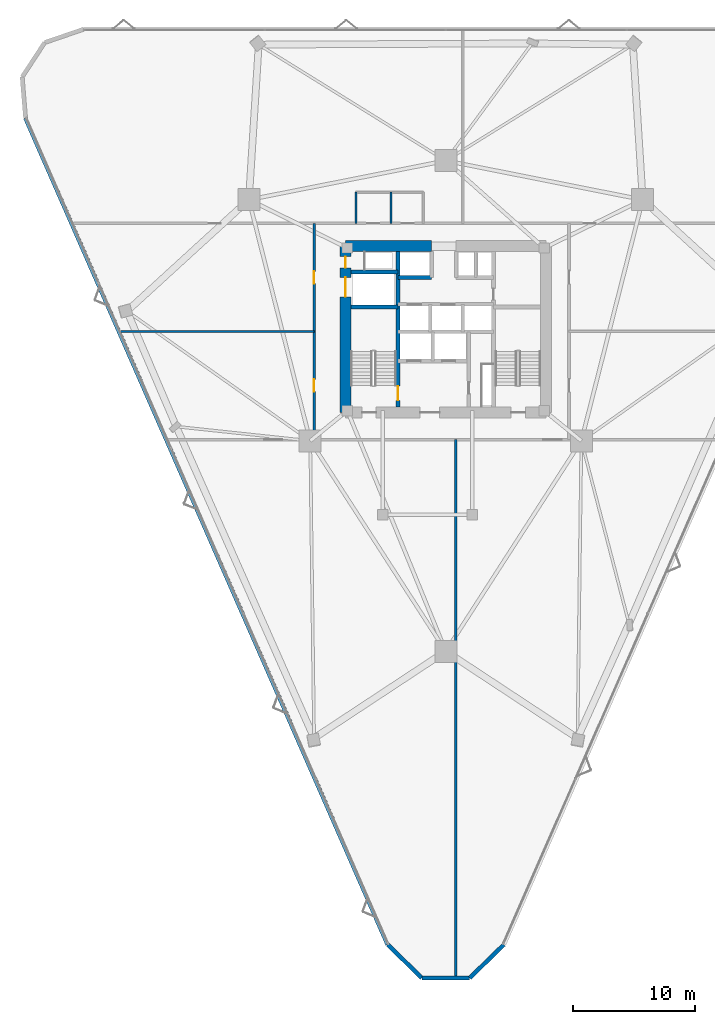
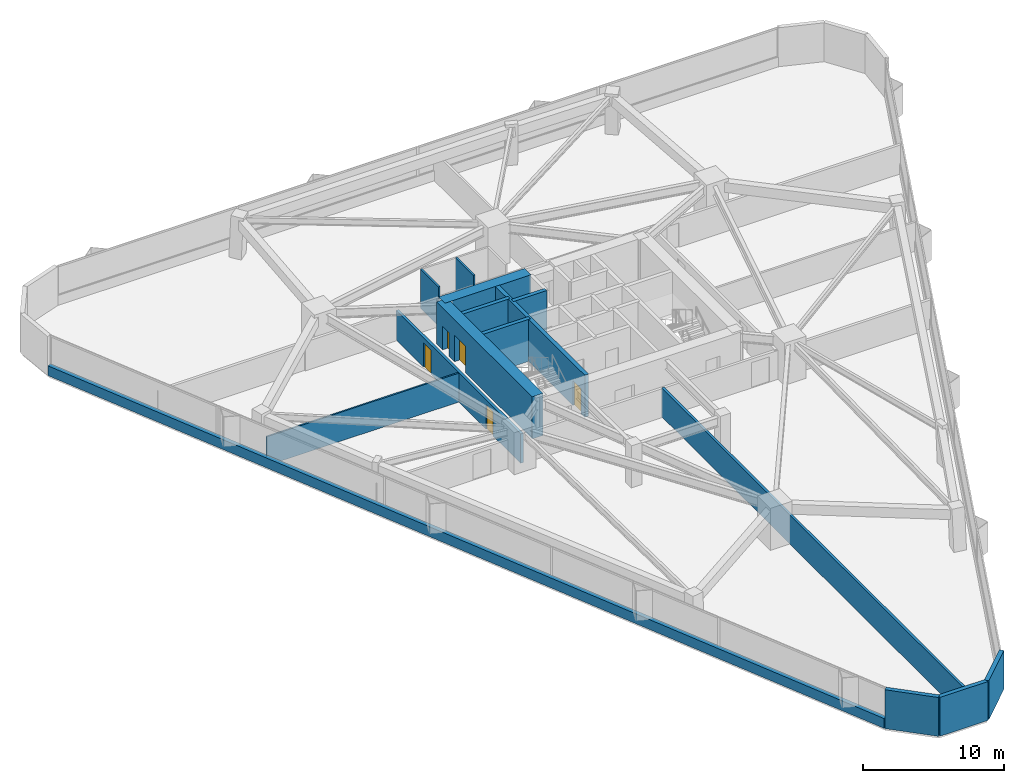
# One storey, part 17 of 20: 15 walls, 5 doors, 5 openings.
"""IFC4 building model written with IfcOpenShell, lengths in metres."""

from ifc_helpers import new_model, si_unit, direction, frame, frame_2d, origin, place, context, subcontext, project, spatial, rectangle, extrude, material, layer, layer_set, type_object, element, fill, save


model = new_model("IFC4")

# Units and contexts
model_context = context("Model", 3, precision=1e-05, world=origin(), true_north=direction((0.0, 1.0)))
body_context = subcontext(model_context, "Body", "Model", "MODEL_VIEW")
ifc_project = project(units=[si_unit("LENGTHUNIT", "METRE"), si_unit("AREAUNIT", "SQUARE_METRE"), si_unit("VOLUMEUNIT", "CUBIC_METRE"), si_unit("PLANEANGLEUNIT", "RADIAN"), si_unit("MASSUNIT", "GRAM", prefix="KILO")], contexts=[model_context])

# Site, building, storey
site_placement = place(None, origin())
site = spatial("IfcSite", under=ifc_project, at=site_placement, CompositionType="ELEMENT")
building_placement = place(site_placement, origin())
building = spatial("IfcBuilding", under=site, at=building_placement, Name="Talyreon Biosciences Tower", CompositionType="ELEMENT")
storey_placement = place(building_placement, frame((0.0, 0.0, 26.449951171875)))
storey = spatial("IfcBuildingStorey", under=building, at=storey_placement, Name="L06", CompositionType="ELEMENT", Elevation=26.449951171875)

# Wall
ifc_material_1 = material(Name="Gypsum fireboard acoustic stud", Category="gypsum")
ifc_layer_1 = layer(ifc_material_1, 0.199951171875)
ifc_layer_set_1 = layer_set([ifc_layer_1], Name="Gypsum fireboard acoustic stud")
wall_type_1 = type_object("IfcWallType", Name="ChemControlPartition_200", PredefinedType="PARTITIONING", material=ifc_layer_set_1)
wall_1_placement = place(storey_placement, frame((66.800048828125, 15.0439453125, 0.0), z_axis=(0.0, 0.0, 1.0), x_axis=(0.0, 1.0, 0.0)))
element("IfcWall", 1, at=wall_1_placement, inside=storey, type_object=wall_type_1, Name="L06 Interior Wall IW-L06-SDIV1", PredefinedType="PARTITIONING", context=body_context, shape_type="SweptSolid", body=[
    extrude(rectangle(XDim=43.93603515625, YDim=0.199951171875, at=frame_2d((21.968017578125, 0.0))), origin(), (0.0, 0.0, 1.0), 2.505126953125),
])

# Wall, opening, door
ifc_material_2 = material(Name="Concrete C50/60", Category="concrete")
ifc_layer_2 = layer(ifc_material_2, 0.320068359375)
ifc_layer_set_2 = layer_set([ifc_layer_2], Name="Concrete C50/60")
wall_type_2 = type_object("IfcWallType", Name="CoreShearWall_320", PredefinedType="SHEAR", material=ifc_layer_set_2)
wall_2_placement = place(storey_placement, frame((62.090087890625, 61.64990234375, 0.0), z_axis=(0.0, 0.0, 1.0), x_axis=(0.0, 1.0, 0.0)))
wall_2 = element("IfcWall", 2, at=wall_2_placement, inside=storey, type_object=wall_type_2, Name="L06 Core Shaft Wall SW1E", PredefinedType="SHEAR", context=body_context, shape_type="SweptSolid", body=[
    extrude(rectangle(XDim=12.7001953125, YDim=0.320068359375, at=frame_2d((6.35009765625, 0.0))), origin(), (0.0, 0.0, 1.0), 3.650146484375),
])
opening_1_placement = place(wall_2_placement, frame((0.550048828125, 0.0, 0.0)))
opening_1 = element("IfcOpeningElement", 3, at=opening_1_placement, cuts=wall_2, Name="Opening DR-L06-FF-ST1", PredefinedType="OPENING", context=body_context, shape_type="SweptSolid", body=[
    extrude(rectangle(XDim=1.14990234375, YDim=2.14990234375, at=frame_2d((0.574951171875, 1.074951171875))), frame((0.0, 0.169921875, 0.0), z_axis=(0.0, -1.0, 0.0), x_axis=(1.0, 0.0, 0.0)), (0.0, 0.0, 1.0), 0.340087890625),
])
ifc_material_3 = material(Name="Painted steel fire door", Category="steel")
door_type_1 = type_object("IfcDoorType", Name="StairShaftFireDoor_1150x2150", OperationType="NOTDEFINED", PredefinedType="DOOR", material=ifc_material_3)
door_1_placement = place(opening_1_placement, origin())
door_1 = element("IfcDoor", 4, at=door_1_placement, inside=storey, type_object=door_type_1, Name="L06 Core Door DR-L06-FF-ST1", OperationType="SINGLE_SWING_LEFT", OverallHeight=2.14990234375, OverallWidth=1.14990234375, PredefinedType="DOOR", context=body_context, shape_type="SweptSolid", body=[
    extrude(rectangle(XDim=1.14990234375, YDim=2.14990234375, at=frame_2d((0.574951171875, 1.074951171875))), frame((0.0, 0.02490234375, 0.0), z_axis=(0.0, -1.0, 0.0), x_axis=(1.0, 0.0, 0.0)), (0.0, 0.0, 1.0), 0.050048828125),
])
fill(opening_1, door_1)

# Walls
for number, where, z_axis, x_axis, name in (
    (5, (58.25, 69.81005859375, 0.0), (0.0, 0.0, 1.0), (1.0, 0.0, 0.0), "L06 Core Shaft Wall SW1N"),
    (6, (58.25, 72.699951171875, 0.0), (0.0, 0.0, 1.0), (1.0, 0.0, 0.0), "L06 Core Shaft Wall SWGLN"),
):
    element("IfcWall", number, at=place(storey_placement, frame(where, z_axis=z_axis, x_axis=x_axis)), inside=storey, type_object=wall_type_2, Name=name, PredefinedType="SHEAR", context=body_context, shape_type="SweptSolid", body=[
        extrude(rectangle(XDim=3.840087890625, YDim=0.320068359375, at=frame_2d((1.919921875, 0.0))), origin(), (0.0, 0.0, 1.0), 3.650146484375),
    ])
wall_3_placement = place(storey_placement, frame((62.090087890625, 72.25, 0.0), z_axis=(0.0, 0.0, 1.0), x_axis=(1.0, 0.0, 0.0)))
element("IfcWall", 7, at=wall_3_placement, inside=storey, type_object=wall_type_2, Name="L06 Core Shaft Wall SWNPW", PredefinedType="SHEAR", context=body_context, shape_type="SweptSolid", body=[
    extrude(rectangle(XDim=2.760009765625, YDim=0.320068359375, at=frame_2d((1.3798828125, 0.0))), origin(), (0.0, 0.0, 1.0), 3.650146484375),
])
ifc_material_4 = material(Name="Concrete C60/75", Category="concrete")
ifc_layer_3 = layer(ifc_material_4, 0.89990234375)
ifc_layer_set_3 = layer_set([ifc_layer_3], Name="Concrete C60/75")
wall_type_3 = type_object("IfcWallType", Name="CoreShearWall_900", PredefinedType="SHEAR", material=ifc_layer_set_3)
wall_4_placement = place(storey_placement, frame((64.85009765625, 74.800048828125, 0.0), z_axis=(0.0, 0.0, 1.0), x_axis=(-1.0, 0.0, 0.0)))
element("IfcWall", 8, at=wall_4_placement, inside=storey, type_object=wall_type_3, Name="L06 Core Shear Wall NW", PredefinedType="SHEAR", context=body_context, shape_type="SweptSolid", body=[
    extrude(rectangle(XDim=7.050048828125, YDim=0.89990234375, at=frame_2d((3.52490234375, 0.0))), origin(), (0.0, 0.0, 1.0), 3.650146484375),
])

# Wall, openings, doors
wall_5_placement = place(storey_placement, frame((57.800048828125, 74.800048828125, 0.0), z_axis=(0.0, 0.0, 1.0), x_axis=(0.0, -1.0, 0.0)))
wall_5 = element("IfcWall", 9, at=wall_5_placement, inside=storey, type_object=wall_type_3, Name="L06 Core Shear Wall W", PredefinedType="SHEAR", context=body_context, shape_type="SweptSolid", body=[
    extrude(rectangle(XDim=13.60009765625, YDim=0.89990234375, at=frame_2d((6.800048828125, 0.0))), origin(), (0.0, 0.0, 1.0), 3.650146484375),
])
opening_2_placement = place(wall_5_placement, frame((0.85009765625, 0.0, 0.0)))
opening_2 = element("IfcOpeningElement", 10, at=opening_2_placement, cuts=wall_5, Name="Opening DR-L06-RSW", PredefinedType="OPENING", context=body_context, shape_type="SweptSolid", body=[
    extrude(rectangle(XDim=0.919921875, YDim=2.050048828125, at=frame_2d((0.4599609375, 1.02490234375))), frame((0.0, 0.4599609375, 0.0), z_axis=(0.0, -1.0, 0.0), x_axis=(1.0, 0.0, 0.0)), (0.0, 0.0, 1.0), 0.919921875),
])
opening_3_placement = place(wall_5_placement, frame((2.550048828125, 0.0, 0.0)))
opening_3 = element("IfcOpeningElement", 11, at=opening_3_placement, cuts=wall_5, Name="Opening LD-L06-GL1", PredefinedType="OPENING", context=body_context, shape_type="SweptSolid", body=[
    extrude(rectangle(XDim=1.60009765625, YDim=2.300048828125, at=frame_2d((0.800048828125, 1.14990234375))), frame((0.0, 0.4599609375, 0.0), z_axis=(0.0, -1.0, 0.0), x_axis=(1.0, 0.0, 0.0)), (0.0, 0.0, 1.0), 0.919921875),
])
ifc_material_5 = material(Name="Heavy-duty stainless-steel goods lift door", Category="steel")
door_type_2 = type_object("IfcDoorType", Name="GoodsLiftSlidingDoor_1600x2300", OperationType="DOUBLE_DOOR_SLIDING", PredefinedType="DOOR", material=ifc_material_5)
door_2_placement = place(opening_3_placement, origin())
door_2 = element("IfcDoor", 12, at=door_2_placement, inside=storey, type_object=door_type_2, Name="L06 Core Door LD-L06-GL1", OperationType="DOUBLE_DOOR_SLIDING", OverallHeight=2.300048828125, OverallWidth=1.60009765625, PredefinedType="DOOR", context=body_context, shape_type="SweptSolid", body=[
    extrude(rectangle(XDim=1.60009765625, YDim=2.300048828125, at=frame_2d((0.800048828125, 1.14990234375))), frame((0.0, 0.02490234375, 0.0), z_axis=(0.0, -1.0, 0.0), x_axis=(1.0, 0.0, 0.0)), (0.0, 0.0, 1.0), 0.050048828125),
])
fill(opening_3, door_2)
ifc_material_6 = material(Name="Painted steel fire-rated riser door", Category="steel")
door_type_3 = type_object("IfcDoorType", Name="RiserPlantAccessDoor_920x2050", OperationType="NOTDEFINED", PredefinedType="DOOR", material=ifc_material_6)
door_3_placement = place(opening_2_placement, origin())
door_3 = element("IfcDoor", 13, at=door_3_placement, inside=storey, type_object=door_type_3, Name="L06 Core Door DR-L06-RSW", OperationType="SINGLE_SWING_LEFT", OverallHeight=2.050048828125, OverallWidth=0.919921875, PredefinedType="DOOR", context=body_context, shape_type="SweptSolid", body=[
    extrude(rectangle(XDim=0.919921875, YDim=2.050048828125, at=frame_2d((0.4599609375, 1.02490234375))), frame((0.0, 0.02490234375, 0.0), z_axis=(0.0, -1.0, 0.0), x_axis=(1.0, 0.0, 0.0)), (0.0, 0.0, 1.0), 0.050048828125),
])
fill(opening_2, door_3)

ifc_layer_4 = layer(ifc_material_1, 0.219970703125)
ifc_layer_set_4 = layer_set([ifc_layer_4], Name="Gypsum fireboard acoustic stud")
wall_type_4 = type_object("IfcWallType", Name="CorridorRatedPartition_220", PredefinedType="PARTITIONING", material=ifc_layer_set_4)
wall_6_placement = place(storey_placement, frame((55.22998046875, 58.97998046875, 0.0), z_axis=(0.0, 0.0, 1.0), x_axis=(0.0, 1.0, 0.0)))
wall_6 = element("IfcWall", 14, at=wall_6_placement, inside=storey, type_object=wall_type_4, Name="L06 Interior Wall IW-L06-COR-W", PredefinedType="PARTITIONING", context=body_context, shape_type="SweptSolid", body=[
    extrude(rectangle(XDim=17.68994140625, YDim=0.219970703125, at=frame_2d((8.844970703125, 0.0))), origin(), (0.0, 0.0, 1.0), 2.554931640625),
])
opening_4_placement = place(wall_6_placement, frame((3.923095703125, 0.0, 0.0)))
opening_4 = element("IfcOpeningElement", 15, at=opening_4_placement, cuts=wall_6, Name="Opening DR-L06-W1A", PredefinedType="OPENING", context=body_context, shape_type="SweptSolid", body=[
    extrude(rectangle(XDim=1.0, YDim=2.10009765625, at=frame_2d((0.5, 1.050048828125))), frame((0.0, 0.119873046875, 0.0), z_axis=(0.0, -1.0, 0.0), x_axis=(1.0, 0.0, 0.0)), (0.0, 0.0, 1.0), 0.239990234375),
])
opening_5_placement = place(wall_6_placement, frame((12.76806640625, 0.0, 0.0)))
opening_5 = element("IfcOpeningElement", 16, at=opening_5_placement, cuts=wall_6, Name="Opening DR-L06-W2A", PredefinedType="OPENING", context=body_context, shape_type="SweptSolid", body=[
    extrude(rectangle(XDim=1.0, YDim=2.10009765625, at=frame_2d((0.5, 1.050048828125))), frame((0.0, 0.119873046875, 0.0), z_axis=(0.0, -1.0, 0.0), x_axis=(1.0, 0.0, 0.0)), (0.0, 0.0, 1.0), 0.239990234375),
])
ifc_material_7 = material(Name="Acoustic oak veneer office door", Category="wood")
door_type_4 = type_object("IfcDoorType", Name="WriteupOfficeDoor_1000x2100", OperationType="NOTDEFINED", PredefinedType="DOOR", material=ifc_material_7)
door_4_placement = place(opening_4_placement, origin())
door_4 = element("IfcDoor", 17, at=door_4_placement, inside=storey, type_object=door_type_4, Name="L06 Interior Door DR-L06-W1A", OperationType="SINGLE_SWING_RIGHT", OverallHeight=2.10009765625, OverallWidth=1.0, PredefinedType="DOOR", context=body_context, shape_type="SweptSolid", body=[
    extrude(rectangle(XDim=1.0, YDim=2.10009765625, at=frame_2d((0.5, 1.050048828125))), frame((0.0, 0.02490234375, 0.0), z_axis=(0.0, -1.0, 0.0), x_axis=(1.0, 0.0, 0.0)), (0.0, 0.0, 1.0), 0.050048828125),
])
fill(opening_4, door_4)
door_5_placement = place(opening_5_placement, origin())
door_5 = element("IfcDoor", 18, at=door_5_placement, inside=storey, type_object=door_type_4, Name="L06 Interior Door DR-L06-W2A", OperationType="SINGLE_SWING_RIGHT", OverallHeight=2.10009765625, OverallWidth=1.0, PredefinedType="DOOR", context=body_context, shape_type="SweptSolid", body=[
    extrude(rectangle(XDim=1.0, YDim=2.10009765625, at=frame_2d((0.5, 1.050048828125))), frame((0.0, 0.02490234375, 0.0), z_axis=(0.0, -1.0, 0.0), x_axis=(1.0, 0.0, 0.0)), (0.0, 0.0, 1.0), 0.050048828125),
])
fill(opening_5, door_5)

# Walls
ifc_material_8 = material(Name="Gypsum acoustic stud partition", Category="gypsum")
ifc_layer_5 = layer(ifc_material_8, 0.1298828125)
ifc_layer_set_5 = layer_set([ifc_layer_5], Name="Gypsum acoustic stud partition")
wall_type_5 = type_object("IfcWallType", Name="OfficeWriteupPartition_130", PredefinedType="PARTITIONING", material=ifc_layer_set_5)
wall_7_placement = place(storey_placement, frame((39.361328125, 67.824951171875, 0.0), z_axis=(0.0, 0.0, 1.0), x_axis=(1.0, 0.0, 0.0)))
element("IfcWall", 19, at=wall_7_placement, inside=storey, type_object=wall_type_5, Name="L06 Interior Wall IW-L06-WDIV1", PredefinedType="PARTITIONING", context=body_context, shape_type="SweptSolid", body=[
    extrude(rectangle(XDim=15.86865234375, YDim=0.1298828125, at=frame_2d((7.934326171875, 0.0))), origin(), (0.0, 0.0, 1.0), 2.505126953125),
])
ifc_material_9 = material(Name="Precast concrete C45/55", Category="concrete")
ifc_layer_6 = layer(ifc_material_9, 0.340087890625)
ifc_layer_set_6 = layer_set([ifc_layer_6], Name="Precast concrete C45/55")
wall_type_6 = type_object("IfcWallType", Name="PrecastConcreteSpandrelWall_340", PredefinedType="STANDARD", material=ifc_layer_set_6)
wall_8_placement = place(storey_placement, frame((61.2373046875, 17.689453125, 0.0), z_axis=(0.0, 0.0, 1.0), x_axis=(-0.401347685244, 0.91592578059, 0.0)))
element("IfcWall", 20, at=wall_8_placement, inside=storey, type_object=wall_type_6, Name="L06 Expressed Concrete Sill Wall 00", PredefinedType="STANDARD", context=body_context, shape_type="SweptSolid", body=[
    extrude(rectangle(XDim=73.781005859375, YDim=0.340087890625, at=frame_2d((36.890625, 0.0))), origin(), (0.0, 0.0, 1.0), 0.85009765625),
])
wall_9_placement = place(storey_placement, frame((70.7626953125, 17.689453125, 0.0), z_axis=(0.0, 0.0, 1.0), x_axis=(-0.716584381789, -0.697500411308, 0.0)))
element("IfcWall", 21, at=wall_9_placement, inside=storey, type_object=wall_type_6, Name="L06 Rounded-Corner Concrete Pier 09", PredefinedType="STANDARD", context=body_context, shape_type="SweptSolid", body=[
    extrude(rectangle(XDim=3.91455078125, YDim=0.340087890625, at=frame_2d((1.957275390625, 0.0))), origin(), (0.0, 0.0, 1.0), 3.375),
])
wall_10_placement = place(storey_placement, frame((67.95751953125, 14.958984375, 0.0), z_axis=(0.0, 0.0, 1.0), x_axis=(-1.0, 0.0, 0.0)))
element("IfcWall", 22, at=wall_10_placement, inside=storey, type_object=wall_type_6, Name="L06 Rounded-Corner Concrete Pier 10", PredefinedType="STANDARD", context=body_context, shape_type="SweptSolid", body=[
    extrude(rectangle(XDim=3.9150390625, YDim=0.340087890625, at=frame_2d((1.95751953125, 0.0))), origin(), (0.0, 0.0, 1.0), 3.375),
])
wall_11_placement = place(storey_placement, frame((64.04248046875, 14.958984375, 0.0), z_axis=(0.0, 0.0, 1.0), x_axis=(-0.716584381789, 0.697500411308, 0.0)))
element("IfcWall", 23, at=wall_11_placement, inside=storey, type_object=wall_type_6, Name="L06 Rounded-Corner Concrete Pier 11", PredefinedType="STANDARD", context=body_context, shape_type="SweptSolid", body=[
    extrude(rectangle(XDim=3.91455078125, YDim=0.340087890625, at=frame_2d((1.957275390625, 0.0))), origin(), (0.0, 0.0, 1.0), 3.375),
])
ifc_material_10 = material(Name="Moisture-resistant cement-board stud", Category="gypsum")
ifc_layer_7 = layer(ifc_material_10, 0.14501953125)
ifc_layer_set_7 = layer_set([ifc_layer_7], Name="Moisture-resistant cement-board stud")
wall_type_7 = type_object("IfcWallType", Name="WetRoomPartition_145", PredefinedType="PARTITIONING", material=ifc_layer_set_7)
for number, where, z_axis, x_axis, name in (
    (24, (58.64990234375, 76.669921875, 0.0), (0.0, 0.0, 1.0), (0.0, 1.0, 0.0), "L06 Interior Wall IW-L06-WCL"),
    (25, (61.52490234375, 76.669921875, 0.0), (0.0, 0.0, 1.0), (0.0, 1.0, 0.0), "L06 Interior Wall IW-L06-WCM"),
):
    element("IfcWall", number, at=place(storey_placement, frame(where, z_axis=z_axis, x_axis=x_axis)), inside=storey, type_object=wall_type_7, Name=name, PredefinedType="PARTITIONING", context=body_context, shape_type="SweptSolid", body=[
        extrude(rectangle(XDim=2.550048828125, YDim=0.14501953125, at=frame_2d((1.27490234375, 0.0))), origin(), (0.0, 0.0, 1.0), 3.375),
    ])

save(model, "model.ifc")
